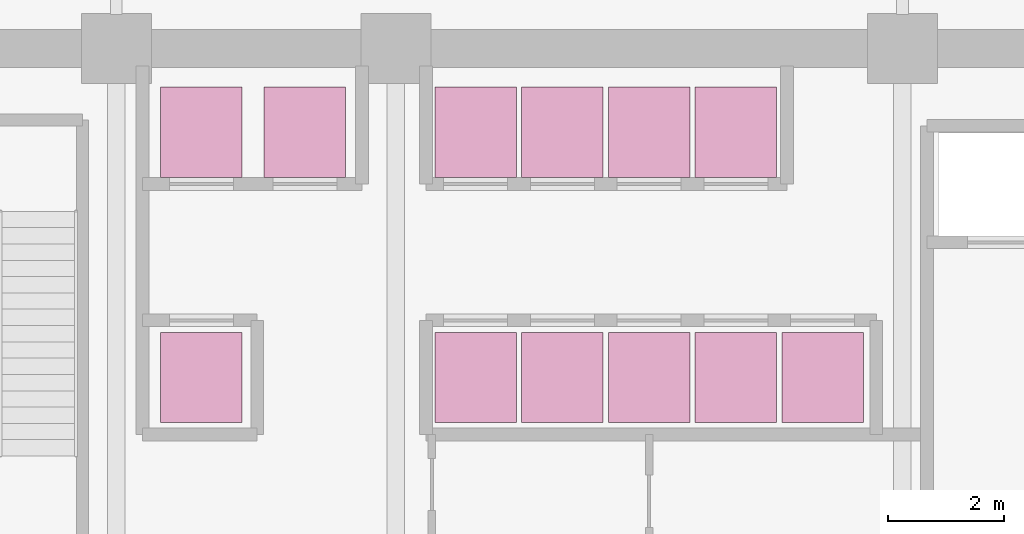
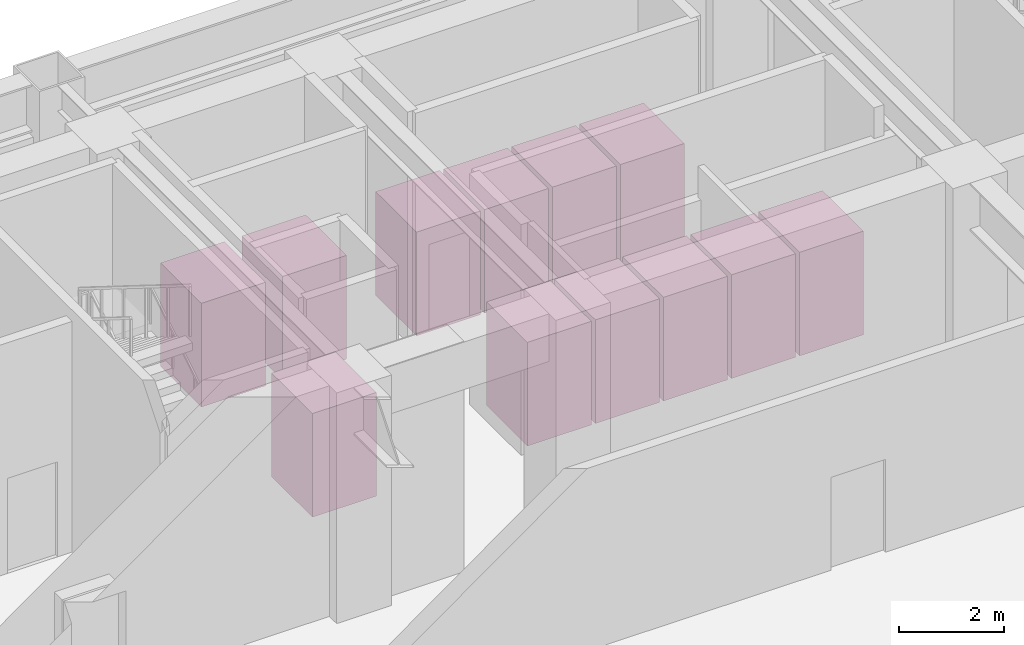
# One storey, part 18 of 18: 12 transport elements.
"""IFC4 building model written with IfcOpenShell, lengths in metres."""

from ifc_helpers import new_model, si_unit, direction, frame, origin, origin_2d, place, context, subcontext, project, spatial, rectangle, extrude, source, transform, mapped, material, type_object, element, save


model = new_model("IFC4")

# Units and contexts
model_context = context("Model", 3, precision=1e-05, world=origin(), true_north=direction((0.0, 1.0)))
body_context = subcontext(model_context, "Body", "Model", "MODEL_VIEW")
ifc_project = project(units=[si_unit("LENGTHUNIT", "METRE"), si_unit("AREAUNIT", "SQUARE_METRE"), si_unit("VOLUMEUNIT", "CUBIC_METRE"), si_unit("PLANEANGLEUNIT", "RADIAN"), si_unit("MASSUNIT", "GRAM", prefix="KILO")], contexts=[model_context])

# Site, building, storey
site_placement = place(None, origin())
site = spatial("IfcSite", under=ifc_project, at=site_placement, CompositionType="ELEMENT")
building_placement = place(site_placement, origin())
building = spatial("IfcBuilding", under=site, at=building_placement, Name="Giltprow Tower", CompositionType="ELEMENT")
storey_placement = place(building_placement, origin())
storey = spatial("IfcBuildingStorey", under=building, at=storey_placement, Name="L01", CompositionType="ELEMENT", Elevation=0.0)

# Transport elements
ifc_material = material(Name="Anodized bronze cab", Category="metal")
transport_element_type = type_object("IfcTransportElementType", Name="LIFT-PASS-1420x1550", PredefinedType="ELEVATOR", material=ifc_material)
shared_shape = source(origin(), body_context, "Body", "SweptSolid", [
    extrude(rectangle(XDim=1.39990234375, YDim=1.550048828125, at=origin_2d()), origin(), (0.0, 0.0, 1.0), 2.39990234375),
])
for number, where, z_axis, x_axis, name in (
    (1, (32.260009765625, 45.110107421875, 0.0), (0.0, 0.0, 1.0), (1.0, 0.0, 0.0), "Low-Rise Office Passenger Bank Car PL-L1"),
    (2, (34.0400390625, 45.110107421875, 0.0), (0.0, 0.0, 1.0), (1.0, 0.0, 0.0), "Low-Rise Office Passenger Bank Car PL-L2"),
    (3, (32.260009765625, 40.89990234375, 0.0), (0.0, 0.0, 1.0), (1.0, 0.0, 0.0), "Low-Rise Office Passenger Bank Car PL-L3"),
    (4, (42.929931640625, 40.89990234375, 0.0), (0.0, 0.0, 1.0), (1.0, 0.0, 0.0), "Low-Rise Office Passenger Bank Car PL-L4"),
    (5, (36.969970703125, 45.110107421875, 0.0), (0.0, 0.0, 1.0), (1.0, 0.0, 0.0), "High-Rise Residential and Observatory Bank Car PL-H1"),
    (6, (38.4599609375, 45.110107421875, 0.0), (0.0, 0.0, 1.0), (1.0, 0.0, 0.0), "High-Rise Residential and Observatory Bank Car PL-H2"),
    (7, (36.969970703125, 40.89990234375, 0.0), (0.0, 0.0, 1.0), (1.0, 0.0, 0.0), "High-Rise Residential and Observatory Bank Car PL-H3"),
    (8, (38.4599609375, 40.89990234375, 0.0), (0.0, 0.0, 1.0), (1.0, 0.0, 0.0), "High-Rise Residential and Observatory Bank Car PL-H4"),
    (9, (39.949951171875, 45.110107421875, 0.0), (0.0, 0.0, 1.0), (1.0, 0.0, 0.0), "Mid-Rise Hotel Express and Local Bank Car PL-M1"),
    (10, (41.43994140625, 45.110107421875, 0.0), (0.0, 0.0, 1.0), (1.0, 0.0, 0.0), "Mid-Rise Hotel Express and Local Bank Car PL-M2"),
    (11, (39.949951171875, 40.89990234375, 0.0), (0.0, 0.0, 1.0), (1.0, 0.0, 0.0), "Mid-Rise Hotel Express and Local Bank Car PL-M3"),
    (12, (41.43994140625, 40.89990234375, 0.0), (0.0, 0.0, 1.0), (1.0, 0.0, 0.0), "Mid-Rise Hotel Express and Local Bank Car PL-M4"),
):
    element("IfcTransportElement", number, at=place(storey_placement, frame(where, z_axis=z_axis, x_axis=x_axis)), inside=storey, type_object=transport_element_type, Name=name, PredefinedType="ELEVATOR", context=body_context, shape_type="MappedRepresentation", body=[
        mapped(shared_shape, transform((0.0, 0.0, 0.0), x_axis=(1.0, 0.0, 0.0), y_axis=(0.0, 1.0, 0.0), z_axis=(0.0, 0.0, 1.0), scale=1.0)),
    ])

save(model, "model.ifc")
